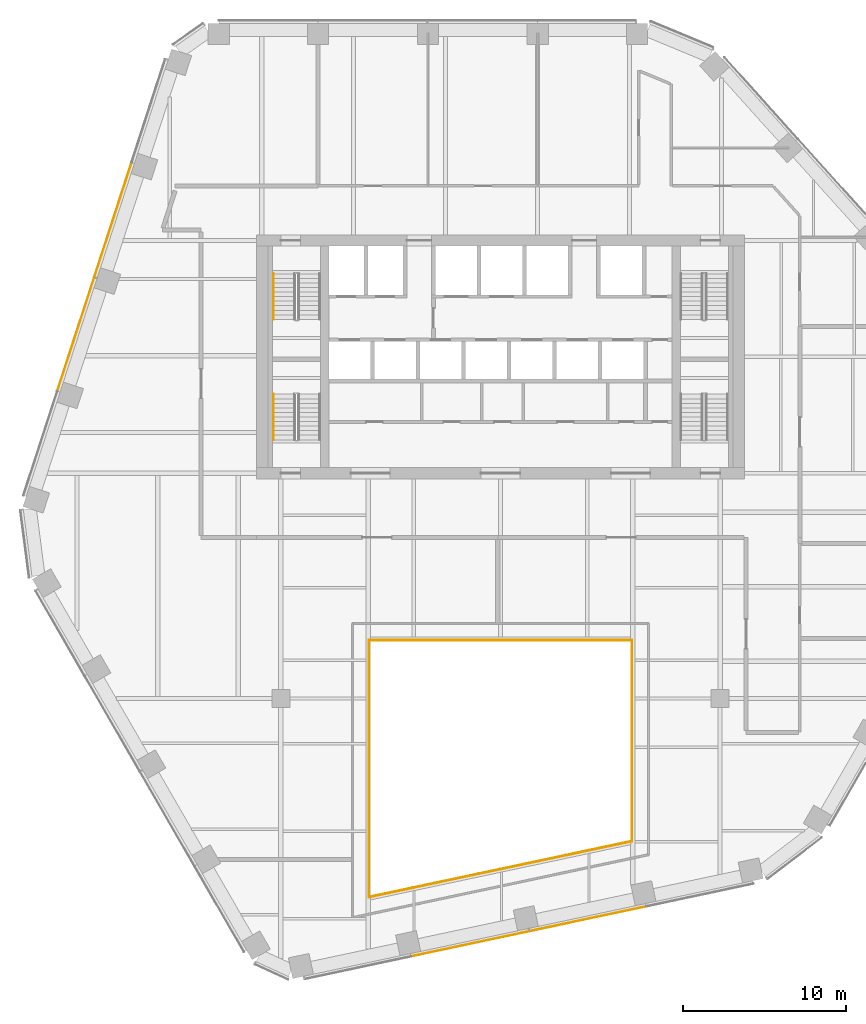
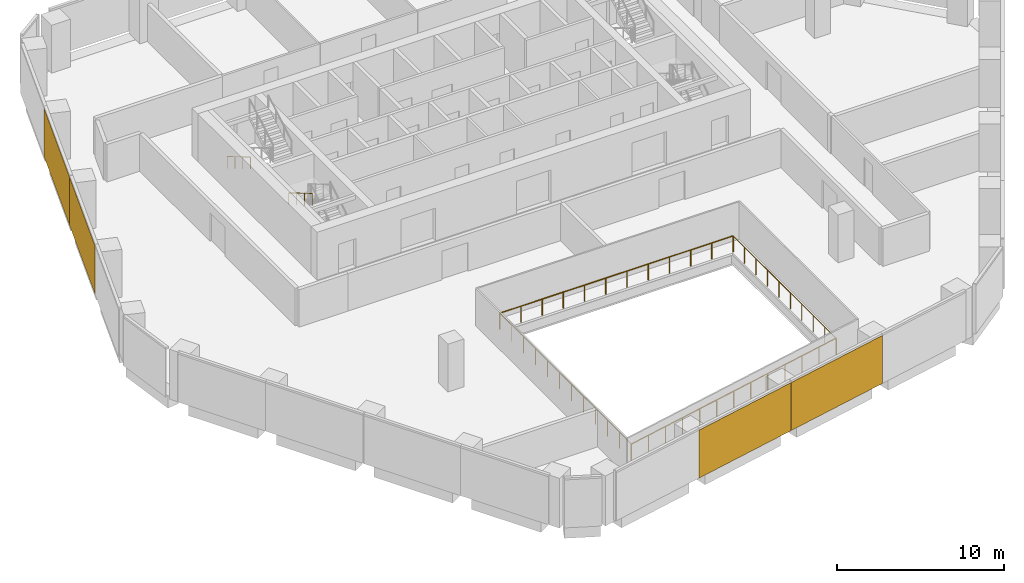
# One storey, part 14 of 16: 6 railings, 4 coverings, 2 elements without a shape of their own.
"""IFC4 building model written with IfcOpenShell, lengths in metres."""

from ifc_helpers import new_model, si_unit, direction, frame, origin, origin_2d, place, context, subcontext, project, spatial, rectangle, circle, extrude, material, layer, layer_set, type_object, element, aggregate, save


model = new_model("IFC4")

# Units and contexts
model_context = context("Model", 3, precision=1e-05, world=origin(), true_north=direction((0.0, 1.0)))
body_context = subcontext(model_context, "Body", "Model", "MODEL_VIEW")
ifc_project = project(units=[si_unit("LENGTHUNIT", "METRE"), si_unit("AREAUNIT", "SQUARE_METRE"), si_unit("VOLUMEUNIT", "CUBIC_METRE"), si_unit("PLANEANGLEUNIT", "RADIAN"), si_unit("MASSUNIT", "GRAM", prefix="KILO")], contexts=[model_context])

# Site, building, storey
site_placement = place(None, origin())
site = spatial("IfcSite", under=ifc_project, at=site_placement, CompositionType="ELEMENT")
building_placement = place(site_placement, origin())
building = spatial("IfcBuilding", under=site, at=building_placement, Name="Isthmus Gate Tower", CompositionType="ELEMENT")
storey_placement = place(building_placement, frame((0.0, 0.0, 192.699951171875)))
storey = spatial("IfcBuildingStorey", under=building, at=storey_placement, Name="L48", CompositionType="ELEMENT", Elevation=192.699951171875)

# Railings
ifc_material_1 = material(Name="Laminated toughened glass balustrade with steel rail", Category="steel")
railing_type_1 = type_object("IfcRailingType", Name="ATRIUM GUARD GLASS BALUSTRADE 1200", PredefinedType="GUARDRAIL", material=ifc_material_1)
railing_1_placement = place(storey_placement, frame((-8.080078125, -25.7099609375, 0.0)))
element("IfcRailing", 1, at=railing_1_placement, inside=storey, type_object=railing_type_1, Name="L48 atrium guard", PredefinedType="GUARDRAIL", context=body_context, shape_type="SweptSolid", body=[
    extrude(circle(Radius=0.02490234375, at=origin_2d()), frame((0.0, 0.0, 1.1748046875), z_axis=(0.0, 1.0, 0.0), x_axis=(-1.0, 0.0, 0.0)), (0.0, 0.0, 1.0), 15.7900390625),
    extrude(circle(Radius=0.02490234375, at=origin_2d()), origin(), (0.0, 0.0, 1.0), 1.14990234375),
    extrude(circle(Radius=0.02490234375, at=origin_2d()), frame((0.0, 1.435546875, 0.0)), (0.0, 0.0, 1.0), 1.14990234375),
    extrude(circle(Radius=0.02490234375, at=origin_2d()), frame((0.0, 2.870849609375, 0.0)), (0.0, 0.0, 1.0), 1.14990234375),
    extrude(circle(Radius=0.02490234375, at=origin_2d()), frame((0.0, 4.306396484375, 0.0)), (0.0, 0.0, 1.0), 1.14990234375),
    extrude(circle(Radius=0.02490234375, at=origin_2d()), frame((0.0, 5.741943359375, 0.0)), (0.0, 0.0, 1.0), 1.14990234375),
    extrude(circle(Radius=0.02490234375, at=origin_2d()), frame((0.0, 7.17724609375, 0.0)), (0.0, 0.0, 1.0), 1.14990234375),
    extrude(circle(Radius=0.02490234375, at=origin_2d()), frame((0.0, 8.61279296875, 0.0)), (0.0, 0.0, 1.0), 1.14990234375),
    extrude(circle(Radius=0.02490234375, at=origin_2d()), frame((0.0, 10.048095703125, 0.0)), (0.0, 0.0, 1.0), 1.14990234375),
    extrude(circle(Radius=0.02490234375, at=origin_2d()), frame((0.0, 11.483642578125, 0.0)), (0.0, 0.0, 1.0), 1.14990234375),
    extrude(circle(Radius=0.02490234375, at=origin_2d()), frame((0.0, 12.919189453125, 0.0)), (0.0, 0.0, 1.0), 1.14990234375),
    extrude(circle(Radius=0.02490234375, at=origin_2d()), frame((0.0, 14.3544921875, 0.0)), (0.0, 0.0, 1.0), 1.14990234375),
    extrude(circle(Radius=0.02490234375, at=origin_2d()), frame((0.0, 15.7900390625, 0.0)), (0.0, 0.0, 1.0), 1.14990234375),
])
railing_2_placement = place(storey_placement, frame((-8.080078125, -9.919921875, 0.0)))
element("IfcRailing", 2, at=railing_2_placement, inside=storey, type_object=railing_type_1, Name="L48 atrium guard", PredefinedType="GUARDRAIL", context=body_context, shape_type="SweptSolid", body=[
    extrude(circle(Radius=0.02490234375, at=origin_2d()), frame((0.0, 0.0, 1.1748046875), z_axis=(1.0, 0.0, 0.0), x_axis=(0.0, 1.0, 0.0)), (0.0, 0.0, 1.0), 16.16015625),
    extrude(circle(Radius=0.02490234375, at=origin_2d()), origin(), (0.0, 0.0, 1.0), 1.14990234375),
    extrude(circle(Radius=0.02490234375, at=origin_2d()), frame((1.468994140625, 0.0, 0.0)), (0.0, 0.0, 1.0), 1.14990234375),
    extrude(circle(Radius=0.02490234375, at=origin_2d()), frame((2.938232421875, 0.0, 0.0)), (0.0, 0.0, 1.0), 1.14990234375),
    extrude(circle(Radius=0.02490234375, at=origin_2d()), frame((4.4072265625, 0.0, 0.0)), (0.0, 0.0, 1.0), 1.14990234375),
    extrude(circle(Radius=0.02490234375, at=origin_2d()), frame((5.87646484375, 0.0, 0.0)), (0.0, 0.0, 1.0), 1.14990234375),
    extrude(circle(Radius=0.02490234375, at=origin_2d()), frame((7.345458984375, 0.0, 0.0)), (0.0, 0.0, 1.0), 1.14990234375),
    extrude(circle(Radius=0.02490234375, at=origin_2d()), frame((8.814697265625, 0.0, 0.0)), (0.0, 0.0, 1.0), 1.14990234375),
    extrude(circle(Radius=0.02490234375, at=origin_2d()), frame((10.28369140625, 0.0, 0.0)), (0.0, 0.0, 1.0), 1.14990234375),
    extrude(circle(Radius=0.02490234375, at=origin_2d()), frame((11.7529296875, 0.0, 0.0)), (0.0, 0.0, 1.0), 1.14990234375),
    extrude(circle(Radius=0.02490234375, at=origin_2d()), frame((13.221923828125, 0.0, 0.0)), (0.0, 0.0, 1.0), 1.14990234375),
    extrude(circle(Radius=0.02490234375, at=origin_2d()), frame((14.691162109375, 0.0, 0.0)), (0.0, 0.0, 1.0), 1.14990234375),
    extrude(circle(Radius=0.02490234375, at=origin_2d()), frame((16.16015625, 0.0, 0.0)), (0.0, 0.0, 1.0), 1.14990234375),
])
railing_3_placement = place(storey_placement, frame((8.080078125, -9.919921875, 0.0)))
element("IfcRailing", 3, at=railing_3_placement, inside=storey, type_object=railing_type_1, Name="L48 atrium guard", PredefinedType="GUARDRAIL", context=body_context, shape_type="SweptSolid", body=[
    extrude(circle(Radius=0.02490234375, at=origin_2d()), frame((0.0, 0.0, 1.1748046875), z_axis=(0.0, -1.0, 0.0), x_axis=(1.0, 0.0, 0.0)), (0.0, 0.0, 1.0), 12.35498046875),
    extrude(circle(Radius=0.02490234375, at=origin_2d()), origin(), (0.0, 0.0, 1.0), 1.14990234375),
    extrude(circle(Radius=0.02490234375, at=origin_2d()), frame((0.0, -1.372802734375, 0.0)), (0.0, 0.0, 1.0), 1.14990234375),
    extrude(circle(Radius=0.02490234375, at=origin_2d()), frame((0.0, -2.74560546875, 0.0)), (0.0, 0.0, 1.0), 1.14990234375),
    extrude(circle(Radius=0.02490234375, at=origin_2d()), frame((0.0, -4.118408203125, 0.0)), (0.0, 0.0, 1.0), 1.14990234375),
    extrude(circle(Radius=0.02490234375, at=origin_2d()), frame((0.0, -5.4912109375, 0.0)), (0.0, 0.0, 1.0), 1.14990234375),
    extrude(circle(Radius=0.02490234375, at=origin_2d()), frame((0.0, -6.86376953125, 0.0)), (0.0, 0.0, 1.0), 1.14990234375),
    extrude(circle(Radius=0.02490234375, at=origin_2d()), frame((0.0, -8.236572265625, 0.0)), (0.0, 0.0, 1.0), 1.14990234375),
    extrude(circle(Radius=0.02490234375, at=origin_2d()), frame((0.0, -9.609375, 0.0)), (0.0, 0.0, 1.0), 1.14990234375),
    extrude(circle(Radius=0.02490234375, at=origin_2d()), frame((0.0, -10.982177734375, 0.0)), (0.0, 0.0, 1.0), 1.14990234375),
    extrude(circle(Radius=0.02490234375, at=origin_2d()), frame((0.0, -12.35498046875, 0.0)), (0.0, 0.0, 1.0), 1.14990234375),
])
railing_4_placement = place(storey_placement, frame((8.080078125, -22.27490234375, 0.0)))
element("IfcRailing", 4, at=railing_4_placement, inside=storey, type_object=railing_type_1, Name="L48 atrium guard", PredefinedType="GUARDRAIL", context=body_context, shape_type="SweptSolid", body=[
    extrude(circle(Radius=0.02490234375, at=origin_2d()), frame((0.0, 0.0, 1.1748046875), z_axis=(-0.978146230105, -0.207918139013, 0.0), x_axis=(0.207918139013, -0.978146230105, 0.0)), (0.0, 0.0, 1.0), 16.521240234375),
    extrude(circle(Radius=0.02490234375, at=origin_2d()), origin(), (0.0, 0.0, 1.0), 1.14990234375),
    extrude(circle(Radius=0.02490234375, at=origin_2d()), frame((-1.3466796875, -0.2861328125, 0.0)), (0.0, 0.0, 1.0), 1.14990234375),
    extrude(circle(Radius=0.02490234375, at=origin_2d()), frame((-2.693359375, -0.572509765625, 0.0)), (0.0, 0.0, 1.0), 1.14990234375),
    extrude(circle(Radius=0.02490234375, at=origin_2d()), frame((-4.0400390625, -0.85888671875, 0.0)), (0.0, 0.0, 1.0), 1.14990234375),
    extrude(circle(Radius=0.02490234375, at=origin_2d()), frame((-5.38671875, -1.14501953125, 0.0)), (0.0, 0.0, 1.0), 1.14990234375),
    extrude(circle(Radius=0.02490234375, at=origin_2d()), frame((-6.7333984375, -1.43115234375, 0.0)), (0.0, 0.0, 1.0), 1.14990234375),
    extrude(circle(Radius=0.02490234375, at=origin_2d()), frame((-8.080078125, -1.717529296875, 0.0)), (0.0, 0.0, 1.0), 1.14990234375),
    extrude(circle(Radius=0.02490234375, at=origin_2d()), frame((-9.4267578125, -2.00390625, 0.0)), (0.0, 0.0, 1.0), 1.14990234375),
    extrude(circle(Radius=0.02490234375, at=origin_2d()), frame((-10.7734375, -2.2900390625, 0.0)), (0.0, 0.0, 1.0), 1.14990234375),
    extrude(circle(Radius=0.02490234375, at=origin_2d()), frame((-12.1201171875, -2.576171875, 0.0)), (0.0, 0.0, 1.0), 1.14990234375),
    extrude(circle(Radius=0.02490234375, at=origin_2d()), frame((-13.466796875, -2.862548828125, 0.0)), (0.0, 0.0, 1.0), 1.14990234375),
    extrude(circle(Radius=0.02490234375, at=origin_2d()), frame((-14.8134765625, -3.14892578125, 0.0)), (0.0, 0.0, 1.0), 1.14990234375),
    extrude(circle(Radius=0.02490234375, at=origin_2d()), frame((-16.16015625, -3.43505859375, 0.0)), (0.0, 0.0, 1.0), 1.14990234375),
])

# Curtain wall, coverings
ifc_material_2 = material(Name="Aluminium, pale champagne anodised", Category="aluminium")
ifc_layer_1 = layer(ifc_material_2, 0.199951171875)
ifc_layer_set_1 = layer_set([ifc_layer_1], Name="CW-1 UNITISED CURTAIN WALL 200 DEEP")
curtain_wall_type = type_object("IfcCurtainWallType", Name="CW-1 UNITISED CURTAIN WALL 200 DEEP", PredefinedType="NOTDEFINED", material=ifc_layer_set_1)
curtain_wall_1_placement = place(storey_placement, origin())
curtain_wall_1 = element("IfcCurtainWall", 5, at=curtain_wall_1_placement, inside=storey, type_object=curtain_wall_type, Name="CW-1 NW L48", PredefinedType="NOTDEFINED")
ifc_material_3 = material(Name="Aluminium composite panel, pale champagne anodised", Category="aluminium")
ifc_layer_2 = layer(ifc_material_3, 0.035888671875)
ifc_layer_set_2 = layer_set([ifc_layer_2], Name="CW-1 PALE METAL PANEL 36")
covering_type = type_object("IfcCoveringType", Name="CW-1 PALE METAL PANEL 36", PredefinedType="CLADDING", material=ifc_layer_set_2)
covering_1_placement = place(storey_placement, frame((-23.813720703125, 15.927490234375, 0.0), z_axis=(0.0, 0.0, 1.0), x_axis=(-0.309016994375, -0.951056516295, 0.0)))
covering_1 = element("IfcCovering", 6, at=covering_1_placement, type_object=covering_type, Name="CW-1 pale metal panel", PredefinedType="CLADDING", context=body_context, shape_type="SweptSolid", body=[
    extrude(rectangle(XDim=7.390869140625, YDim=0.035888671875, at=origin_2d()), origin(), (0.0, 0.0, 1.0), 3.510009765625),
])
covering_2_placement = place(storey_placement, frame((-26.10693359375, 8.8701171875, 0.0), z_axis=(0.0, 0.0, 1.0), x_axis=(-0.309016994375, -0.951056516295, 0.0)))
covering_2 = element("IfcCovering", 7, at=covering_2_placement, type_object=covering_type, Name="CW-1 pale metal panel", PredefinedType="CLADDING", context=body_context, shape_type="SweptSolid", body=[
    extrude(rectangle(XDim=7.330810546875, YDim=0.035888671875, at=origin_2d()), origin(), (0.0, 0.0, 1.0), 3.510009765625),
])
aggregate(curtain_wall_1, [covering_1, covering_2])

curtain_wall_2_placement = place(storey_placement, origin())
curtain_wall_2 = element("IfcCurtainWall", 8, at=curtain_wall_2_placement, inside=storey, type_object=curtain_wall_type, Name="CW-1 S L48", PredefinedType="NOTDEFINED")
covering_3_placement = place(storey_placement, frame((-1.88671875, -28.587158203125, 0.0), z_axis=(0.0, 0.0, 1.0), x_axis=(0.978147600734, 0.207911690818, 0.0)))
covering_3 = element("IfcCovering", 9, at=covering_3_placement, type_object=covering_type, Name="CW-1 pale metal panel", PredefinedType="CLADDING", context=body_context, shape_type="SweptSolid", body=[
    extrude(rectangle(XDim=7.390869140625, YDim=0.035888671875, at=origin_2d()), origin(), (0.0, 0.0, 1.0), 3.510009765625),
])
covering_4_placement = place(storey_placement, frame((5.371826171875, -27.044189453125, 0.0), z_axis=(0.0, 0.0, 1.0), x_axis=(0.978147600734, 0.207911690818, 0.0)))
covering_4 = element("IfcCovering", 10, at=covering_4_placement, type_object=covering_type, Name="CW-1 pale metal panel", PredefinedType="CLADDING", context=body_context, shape_type="SweptSolid", body=[
    extrude(rectangle(XDim=7.330810546875, YDim=0.035888671875, at=origin_2d()), origin(), (0.0, 0.0, 1.0), 3.510009765625),
])
aggregate(curtain_wall_2, [covering_3, covering_4])

# Railings
ifc_material_4 = material(Name="Stainless steel handrail", Category="steel")
railing_type_2 = type_object("IfcRailingType", Name="STAIR HANDRAIL 900", PredefinedType="HANDRAIL", material=ifc_material_4)
railing_5_placement = place(storey_placement, frame((-13.949951171875, 12.60009765625, 0.166015625)))
element("IfcRailing", 11, at=railing_5_placement, inside=storey, type_object=railing_type_2, Name="L48 ST1 stair handrail 1", PredefinedType="HANDRAIL", context=body_context, shape_type="SweptSolid", body=[
    extrude(circle(Radius=0.02392578125, at=origin_2d()), frame((0.0, 0.0, 0.8759765625), z_axis=(0.0, -0.860339051648, 0.50972219513), x_axis=(1.0, 0.0, 0.0)), (0.0, 0.0, 1.0), 3.254638671875),
    extrude(circle(Radius=0.02099609375, at=origin_2d()), origin(), (0.0, 0.0, 1.0), 0.851806640625),
    extrude(circle(Radius=0.02099609375, at=origin_2d()), frame((0.0, -0.933349609375, 0.552978515625)), (0.0, 0.0, 1.0), 0.851806640625),
    extrude(circle(Radius=0.02099609375, at=origin_2d()), frame((0.0, -1.86669921875, 1.10595703125)), (0.0, 0.0, 1.0), 0.851806640625),
    extrude(circle(Radius=0.02099609375, at=origin_2d()), frame((0.0, -2.800048828125, 1.658935546875)), (0.0, 0.0, 1.0), 0.851806640625),
])
railing_6_placement = place(storey_placement, frame((-13.949951171875, 5.199951171875, 1.990966796875)))
element("IfcRailing", 12, at=railing_6_placement, inside=storey, type_object=railing_type_2, Name="L48 ST7 stair handrail 2", PredefinedType="HANDRAIL", context=body_context, shape_type="SweptSolid", body=[
    extrude(circle(Radius=0.02392578125, at=origin_2d()), frame((0.0, 0.0, 0.8759765625), z_axis=(0.0, -0.860306154799, 0.50977771628), x_axis=(1.0, 0.0, 0.0)), (0.0, 0.0, 1.0), 3.254638671875),
    extrude(circle(Radius=0.02099609375, at=origin_2d()), origin(), (0.0, 0.0, 1.0), 0.851806640625),
    extrude(circle(Radius=0.02099609375, at=origin_2d()), frame((0.0, -0.933349609375, 0.552978515625)), (0.0, 0.0, 1.0), 0.851806640625),
    extrude(circle(Radius=0.02099609375, at=origin_2d()), frame((0.0, -1.86669921875, 1.106201171875)), (0.0, 0.0, 1.0), 0.851806640625),
    extrude(circle(Radius=0.02099609375, at=origin_2d()), frame((0.0, -2.800048828125, 1.6591796875)), (0.0, 0.0, 1.0), 0.851806640625),
])

save(model, "model.ifc")
